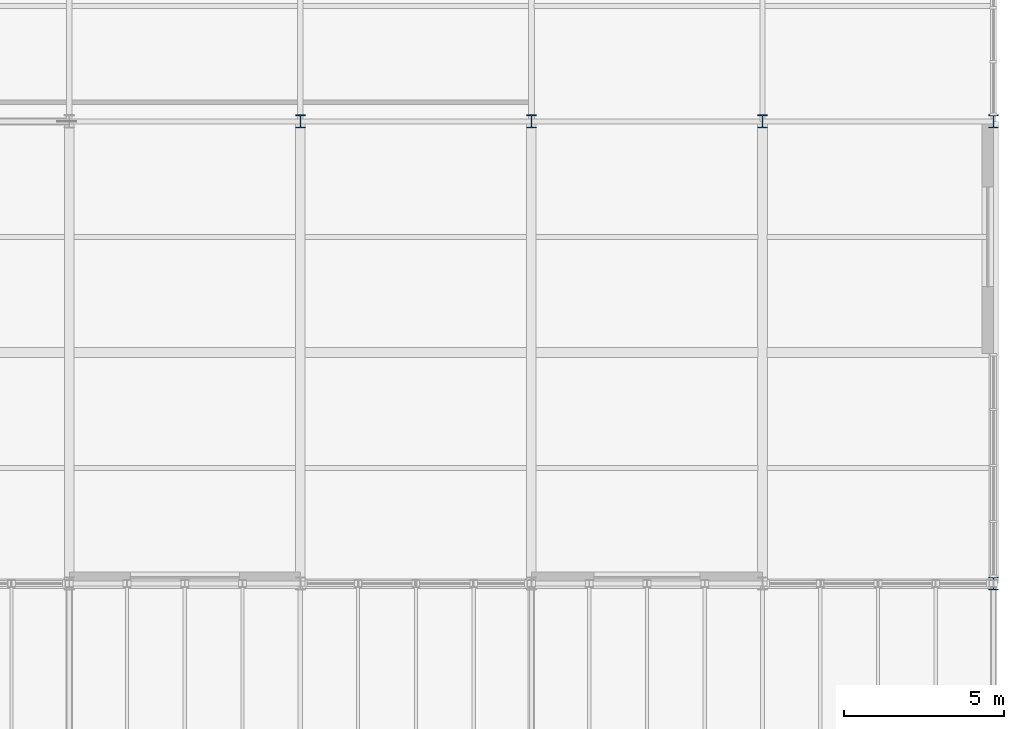
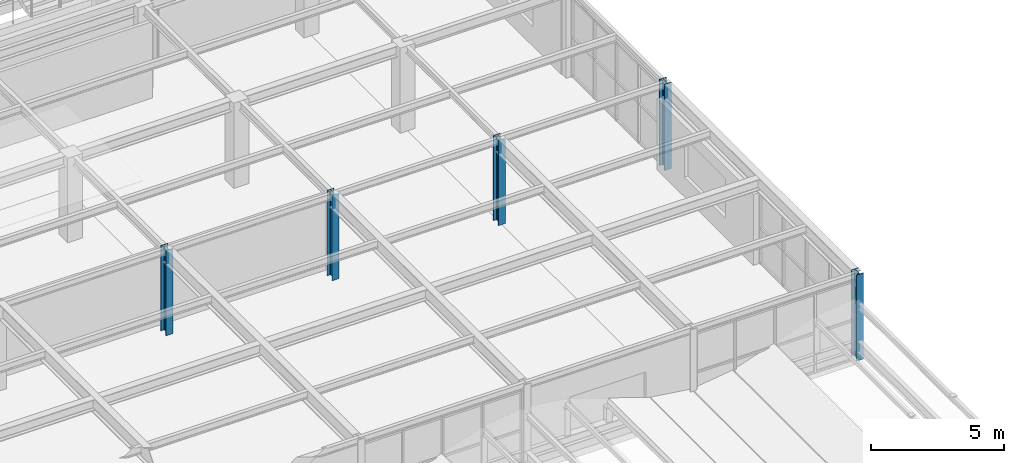
# One storey, part 4 of 83: 5 columns.
"""IFC4 building model written with IfcOpenShell, lengths in metres."""

from ifc_helpers import new_model, si_unit, direction, frame, origin, origin_2d, place, context, subcontext, project, spatial, i_section, extrude, material, material_profile, profile_set, type_object, element, save


model = new_model("IFC4")

# Units and contexts
model_context = context("Model", 3, precision=1e-05, world=origin(), true_north=direction((0.0, 1.0)))
body_context = subcontext(model_context, "Body", "Model", "MODEL_VIEW")
ifc_project = project(units=[si_unit("LENGTHUNIT", "METRE"), si_unit("AREAUNIT", "SQUARE_METRE"), si_unit("VOLUMEUNIT", "CUBIC_METRE"), si_unit("PLANEANGLEUNIT", "RADIAN"), si_unit("MASSUNIT", "GRAM", prefix="KILO")], contexts=[model_context])

# Site, building, storey
site_placement = place(None, origin())
site = spatial("IfcSite", under=ifc_project, at=site_placement, CompositionType="ELEMENT")
building_placement = place(site_placement, origin())
building = spatial("IfcBuilding", under=site, at=building_placement, Name="Leyfeld Transit Interchange", CompositionType="ELEMENT")
storey_placement = place(building_placement, frame((0.0, 0.0, 5.39990234375)))
storey = spatial("IfcBuildingStorey", under=building, at=storey_placement, Name="L01", CompositionType="ELEMENT", Elevation=5.39990234375)

# Columns
ifc_material = material(Name="Steel S355J2", Category="steel")
ifc_material_profile = material_profile(ifc_material, i_section(OverallWidth=0.300048828125, OverallDepth=0.39990234375, WebThickness=0.013427734375, FlangeThickness=0.02392578125, FilletRadius=0.027099609375, at=origin_2d()), Name="HEB 400")
ifc_profile_set = profile_set([ifc_material_profile], Name="Steel S355J2")
column_type = type_object("IfcColumnType", Name="COL-STL-HEB400", PredefinedType="COLUMN", material=ifc_profile_set)
for number, where, z_axis, x_axis, name in (
    (1, (165.60009765625, 57.60009765625, 0.0), (0.0, 0.0, 1.0), (1.0, 0.0, 0.0), "Column COL-L01-1656_0576"),
    (2, (172.800048828125, 57.60009765625, 0.0), (0.0, 0.0, 1.0), (1.0, 0.0, 0.0), "Column COL-L01-1728_0576"),
    (3, (180.0, 57.60009765625, 0.0), (0.0, 0.0, 1.0), (1.0, 0.0, 0.0), "Column COL-L01-1800_0576"),
):
    element("IfcColumn", number, at=place(storey_placement, frame(where, z_axis=z_axis, x_axis=x_axis)), inside=storey, type_object=column_type, Name=name, PredefinedType="COLUMN", context=body_context, shape_type="SweptSolid", body=[
        extrude(i_section(OverallWidth=0.300048828125, OverallDepth=0.39990234375, WebThickness=0.013427734375, FlangeThickness=0.02392578125, FilletRadius=0.027099609375, at=origin_2d()), origin(), (0.0, 0.0, 1.0), 3.900146484375),
    ])
for number, where, z_axis, x_axis, name in (
    (4, (187.199951171875, 43.199951171875, 0.0), (0.0, 0.0, 1.0), (1.0, 0.0, 0.0), "Column COL-L01-1872_0432"),
    (5, (187.199951171875, 57.60009765625, 0.0), (0.0, 0.0, 1.0), (1.0, 0.0, 0.0), "Column COL-L01-1872_0576"),
):
    element("IfcColumn", number, at=place(storey_placement, frame(where, z_axis=z_axis, x_axis=x_axis)), inside=storey, type_object=column_type, Name=name, PredefinedType="COLUMN", context=body_context, shape_type="SweptSolid", body=[
        extrude(i_section(OverallWidth=0.300048828125, OverallDepth=0.39990234375, WebThickness=0.013427734375, FlangeThickness=0.02392578125, FilletRadius=0.027099609375, at=origin_2d()), origin(), (0.0, 0.0, 1.0), 3.9501953125),
    ])

save(model, "model.ifc")
